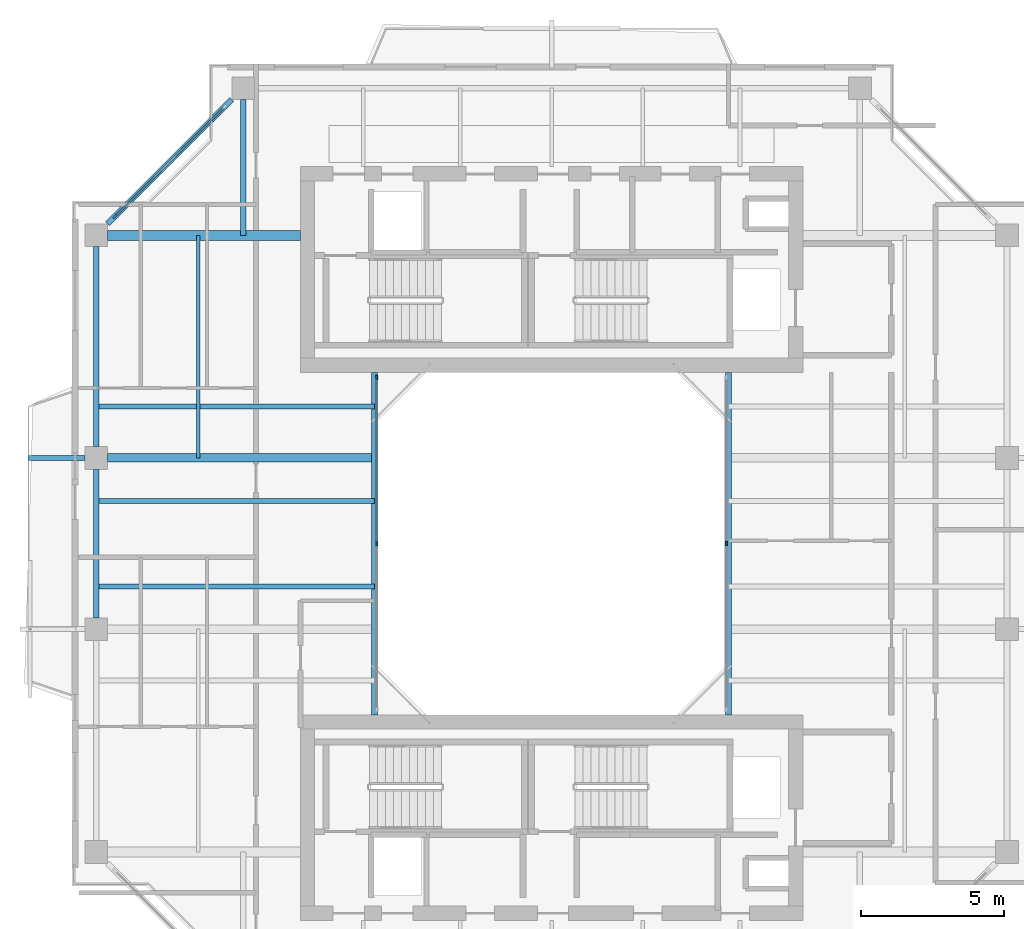
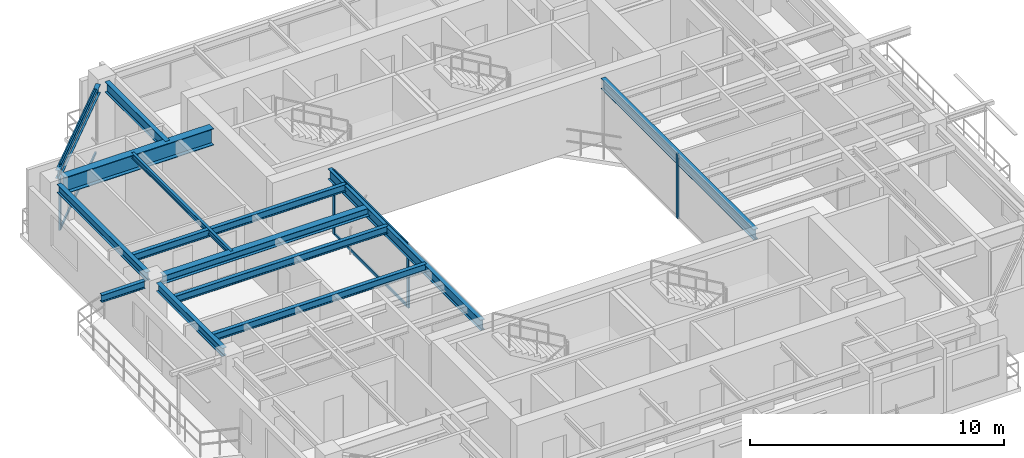
# One storey, part 5 of 16: 13 beams, 8 members, 3 elements without a shape of their own.
"""IFC4 building model written with IfcOpenShell, lengths in metres."""

from ifc_helpers import new_model, si_unit, direction, frame, origin, origin_2d, place, context, subcontext, project, spatial, rectangle, i_section, extrude, source, transform, mapped, material, layer, layer_set, material_profile, profile_set, type_object, element, aggregate, save


model = new_model("IFC4")

# Units and contexts
model_context = context("Model", 3, precision=1e-05, world=origin(), true_north=direction((0.0, 1.0)))
body_context = subcontext(model_context, "Body", "Model", "MODEL_VIEW")
ifc_project = project(units=[si_unit("LENGTHUNIT", "METRE"), si_unit("AREAUNIT", "SQUARE_METRE"), si_unit("VOLUMEUNIT", "CUBIC_METRE"), si_unit("PLANEANGLEUNIT", "RADIAN"), si_unit("MASSUNIT", "GRAM", prefix="KILO"), si_unit("THERMODYNAMICTEMPERATUREUNIT", "KELVIN"), si_unit("POWERUNIT", "WATT")], contexts=[model_context])

# Site, building, storey
site_placement = place(None, origin())
site = spatial("IfcSite", under=ifc_project, at=site_placement, CompositionType="ELEMENT")
building_placement = place(site_placement, origin())
building = spatial("IfcBuilding", under=site, at=building_placement, Name="Qiaomeng Ring Towers", CompositionType="ELEMENT")
storey_placement = place(building_placement, frame((0.0, 0.0, 197.0)))
storey = spatial("IfcBuildingStorey", under=building, at=storey_placement, Name="L57", CompositionType="ELEMENT", Elevation=197.0)

# Beams
ifc_material_1 = material(Name="Steel Q355B", Category="steel")
ifc_material_profile_1 = material_profile(ifc_material_1, i_section(OverallWidth=0.199951171875, OverallDepth=0.5, WebThickness=0.010009765625, FlangeThickness=0.01611328125, FilletRadius=0.02001953125, at=origin_2d()), Name="HN 500x200x10x16")
ifc_profile_set_1 = profile_set([ifc_material_profile_1], Name="Steel Q355B")
beam_type_1 = type_object("IfcBeamType", Name="STR-BM-HN500", PredefinedType="BEAM", material=ifc_profile_set_1)
shared_shape_1 = source(origin(), body_context, "Body", "SweptSolid", [
    extrude(i_section(OverallWidth=0.199951171875, OverallDepth=0.5, WebThickness=0.010009765625, FlangeThickness=0.01611328125, FilletRadius=0.02001953125, at=origin_2d()), origin(), (0.0, 0.0, 1.0), 12.0),
])
for number, where, z_axis, x_axis, name in (
    (1, (12.800048828125, 17.0, 2.820068359375), (0.0, 1.0, 0.0), (-1.0, 0.0, 0.0), "L57 beam STR-BM-L57-WELL-W"),
    (2, (25.199951171875, 17.0, 2.820068359375), (0.0, 1.0, 0.0), (-1.0, 0.0, 0.0), "L57 beam STR-BM-L57-WELL-E"),
):
    element("IfcBeam", number, at=place(storey_placement, frame(where, z_axis=z_axis, x_axis=x_axis)), inside=storey, type_object=beam_type_1, Name=name, PredefinedType="BEAM", context=body_context, shape_type="MappedRepresentation", body=[
        mapped(shared_shape_1, transform((0.0, 0.0, 0.0), x_axis=(1.0, 0.0, 0.0), y_axis=(0.0, 1.0, 0.0), z_axis=(0.0, 0.0, 1.0), scale=1.0)),
    ])
ifc_material_profile_2 = material_profile(ifc_material_1, i_section(OverallWidth=0.198974609375, OverallDepth=0.39599609375, WebThickness=0.007080078125, FlangeThickness=0.010986328125, FilletRadius=0.01611328125, at=origin_2d()), Name="HN 396x199x7x11")
ifc_profile_set_2 = profile_set([ifc_material_profile_2], Name="Steel Q355B")
beam_type_2 = type_object("IfcBeamType", Name="STR-BM-HN396", PredefinedType="SPANDREL", material=ifc_profile_set_2)
shared_shape_2 = source(origin(), body_context, "Body", "SweptSolid", [
    extrude(i_section(OverallWidth=0.198974609375, OverallDepth=0.39599609375, WebThickness=0.007080078125, FlangeThickness=0.010986328125, FilletRadius=0.01611328125, at=origin_2d()), origin(), (0.0, 0.0, 1.0), 6.154052734375),
])
beam_1_placement = place(storey_placement, frame((7.80078125, 38.55078125, 2.8720703125), z_axis=(-0.707106781187, -0.707106781187, 0.0), x_axis=(0.707106781187, -0.707106781187, 0.0)))
element("IfcBeam", 3, at=beam_1_placement, inside=storey, type_object=beam_type_2, Name="L57 beam STR-SP-L57-T1-N1-W4", PredefinedType="SPANDREL", context=body_context, shape_type="MappedRepresentation", body=[
    mapped(shared_shape_2, transform((0.0, 0.0, 0.0), x_axis=(1.0, 0.0, 0.0), y_axis=(0.0, 1.0, 0.0), z_axis=(0.0, 0.0, 1.0), scale=1.0)),
])
shared_shape_3 = source(origin(), body_context, "Body", "SweptSolid", [
    extrude(i_section(OverallWidth=0.198974609375, OverallDepth=0.39599609375, WebThickness=0.007080078125, FlangeThickness=0.010986328125, FilletRadius=0.01611328125, at=origin_2d()), origin(), (0.0, 0.0, 1.0), 7.001953125),
])
beam_2_placement = place(storey_placement, frame((3.050048828125, 33.40087890625, 2.8720703125), z_axis=(0.0, -1.0, 0.0), x_axis=(1.0, 0.0, 0.0)))
element("IfcBeam", 4, at=beam_2_placement, inside=storey, type_object=beam_type_2, Name="L57 beam STR-SP-L57-T1-W4-W3", PredefinedType="SPANDREL", context=body_context, shape_type="MappedRepresentation", body=[
    mapped(shared_shape_3, transform((0.0, 0.0, 0.0), x_axis=(1.0, 0.0, 0.0), y_axis=(0.0, 1.0, 0.0), z_axis=(0.0, 0.0, 1.0), scale=1.0)),
])
shared_shape_4 = source(origin(), body_context, "Body", "SweptSolid", [
    extrude(i_section(OverallWidth=0.198974609375, OverallDepth=0.39599609375, WebThickness=0.007080078125, FlangeThickness=0.010986328125, FilletRadius=0.01611328125, at=origin_2d()), origin(), (0.0, 0.0, 1.0), 5.2021484375),
])
beam_3_placement = place(storey_placement, frame((3.050048828125, 25.60107421875, 2.8720703125), z_axis=(0.0, -1.0, 0.0), x_axis=(1.0, 0.0, 0.0)))
element("IfcBeam", 5, at=beam_3_placement, inside=storey, type_object=beam_type_2, Name="L57 beam STR-SP-L57-T1-W3-W2", PredefinedType="SPANDREL", context=body_context, shape_type="MappedRepresentation", body=[
    mapped(shared_shape_4, transform((0.0, 0.0, 0.0), x_axis=(1.0, 0.0, 0.0), y_axis=(0.0, 1.0, 0.0), z_axis=(0.0, 0.0, 1.0), scale=1.0)),
])
ifc_material_2 = material(Name="Steel Q390GJC", Category="steel")
ifc_material_profile_3 = material_profile(ifc_material_2, i_section(OverallWidth=0.35009765625, OverallDepth=0.800048828125, WebThickness=0.01611328125, FlangeThickness=0.028076171875, at=origin_2d()), Name="WH 800x350x16x28")
ifc_profile_set_3 = profile_set([ifc_material_profile_3], Name="Steel Q390GJC")
beam_type_3 = type_object("IfcBeamType", Name="STR-BM-WH800", PredefinedType="BEAM", material=ifc_profile_set_3)
shared_shape_5 = source(origin(), body_context, "Body", "SweptSolid", [
    extrude(i_section(OverallWidth=0.35009765625, OverallDepth=0.800048828125, WebThickness=0.01611328125, FlangeThickness=0.028076171875, at=origin_2d()), origin(), (0.0, 0.0, 1.0), 6.7509765625),
])
beam_4_placement = place(storey_placement, frame((3.448974609375, 33.800048828125, 2.669921875), z_axis=(1.0, 0.0, 0.0), x_axis=(0.0, 1.0, 0.0)))
element("IfcBeam", 6, at=beam_4_placement, inside=storey, type_object=beam_type_3, Name="L57 beam STR-BM-L57-T1-RAD-W4", PredefinedType="BEAM", context=body_context, shape_type="MappedRepresentation", body=[
    mapped(shared_shape_5, transform((0.0, 0.0, 0.0), x_axis=(1.0, 0.0, 0.0), y_axis=(0.0, 1.0, 0.0), z_axis=(0.0, 0.0, 1.0), scale=1.0)),
])
shared_shape_6 = source(origin(), body_context, "Body", "SweptSolid", [
    extrude(i_section(OverallWidth=0.199951171875, OverallDepth=0.5, WebThickness=0.010009765625, FlangeThickness=0.01611328125, FilletRadius=0.02001953125, at=origin_2d()), origin(), (0.0, 0.0, 1.0), 4.7509765625),
])
beam_5_placement = place(storey_placement, frame((8.199951171875, 38.551025390625, 2.820068359375), z_axis=(0.0, -1.0, 0.0), x_axis=(1.0, 0.0, 0.0)))
element("IfcBeam", 7, at=beam_5_placement, inside=storey, type_object=beam_type_1, Name="L57 beam STR-BM-L57-T1-RAD-N1", PredefinedType="BEAM", context=body_context, shape_type="MappedRepresentation", body=[
    mapped(shared_shape_6, transform((0.0, 0.0, 0.0), x_axis=(1.0, 0.0, 0.0), y_axis=(0.0, 1.0, 0.0), z_axis=(0.0, 0.0, 1.0), scale=1.0)),
])
ifc_material_profile_4 = material_profile(ifc_material_1, i_section(OverallWidth=0.300048828125, OverallDepth=0.389892578125, WebThickness=0.010009765625, FlangeThickness=0.01611328125, FilletRadius=0.02197265625, at=origin_2d()), Name="HM 390x300x10x16")
ifc_profile_set_4 = profile_set([ifc_material_profile_4], Name="Steel Q355B")
beam_type_4 = type_object("IfcBeamType", Name="STR-BM-HM390", PredefinedType="BEAM", material=ifc_profile_set_4)
shared_shape_7 = source(origin(), body_context, "Body", "SweptSolid", [
    extrude(i_section(OverallWidth=0.300048828125, OverallDepth=0.389892578125, WebThickness=0.010009765625, FlangeThickness=0.01611328125, FilletRadius=0.02197265625, at=origin_2d()), origin(), (0.0, 0.0, 1.0), 9.35107421875),
])
beam_6_placement = place(storey_placement, frame((3.448974609375, 26.0, 2.875), z_axis=(1.0, 0.0, 0.0), x_axis=(0.0, 1.0, 0.0)))
element("IfcBeam", 8, at=beam_6_placement, inside=storey, type_object=beam_type_4, Name="L57 beam STR-BM-L57-T1-RAD-W3", PredefinedType="BEAM", context=body_context, shape_type="MappedRepresentation", body=[
    mapped(shared_shape_7, transform((0.0, 0.0, 0.0), x_axis=(1.0, 0.0, 0.0), y_axis=(0.0, 1.0, 0.0), z_axis=(0.0, 0.0, 1.0), scale=1.0)),
])
ifc_material_profile_5 = material_profile(ifc_material_1, i_section(OverallWidth=0.175048828125, OverallDepth=0.35009765625, WebThickness=0.007080078125, FlangeThickness=0.010986328125, FilletRadius=0.013916015625, at=origin_2d()), Name="HN 350x175x7x11")
ifc_profile_set_5 = profile_set([ifc_material_profile_5], Name="Steel Q355B")
beam_type_5 = type_object("IfcBeamType", Name="STR-BM-HN350", PredefinedType="JOIST", material=ifc_profile_set_5)
shared_shape_8 = source(origin(), body_context, "Body", "SweptSolid", [
    extrude(i_section(OverallWidth=0.175048828125, OverallDepth=0.35009765625, WebThickness=0.007080078125, FlangeThickness=0.010986328125, FilletRadius=0.013916015625, at=origin_2d()), origin(), (0.0, 0.0, 1.0), 1.970947265625),
])
beam_7_placement = place(storey_placement, frame((0.679931640625, 26.0, 2.89501953125), z_axis=(1.0, 0.0, 0.0), x_axis=(0.0, 1.0, 0.0)))
element("IfcBeam", 9, at=beam_7_placement, inside=storey, type_object=beam_type_5, Name="L57 beam STR-BALBM-L57-W3", PredefinedType="JOIST", context=body_context, shape_type="MappedRepresentation", body=[
    mapped(shared_shape_8, transform((0.0, 0.0, 0.0), x_axis=(1.0, 0.0, 0.0), y_axis=(0.0, 1.0, 0.0), z_axis=(0.0, 0.0, 1.0), scale=1.0)),
])
shared_shape_9 = source(origin(), body_context, "Body", "SweptSolid", [
    extrude(i_section(OverallWidth=0.175048828125, OverallDepth=0.35009765625, WebThickness=0.007080078125, FlangeThickness=0.010986328125, FilletRadius=0.013916015625, at=origin_2d()), origin(), (0.0, 0.0, 1.0), 9.75),
])
for number, where, z_axis, x_axis, name in (
    (10, (3.050048828125, 21.5, 2.89501953125), (1.0, 0.0, 0.0), (0.0, 1.0, 0.0), "L57 beam STR-JST-L57-T1W-2"),
    (11, (3.050048828125, 24.5, 2.89501953125), (1.0, 0.0, 0.0), (0.0, 1.0, 0.0), "L57 beam STR-JST-L57-T1W-3"),
    (12, (3.050048828125, 27.800048828125, 2.89501953125), (1.0, 0.0, 0.0), (0.0, 1.0, 0.0), "L57 beam STR-JST-L57-T1W-4"),
):
    element("IfcBeam", number, at=place(storey_placement, frame(where, z_axis=z_axis, x_axis=x_axis)), inside=storey, type_object=beam_type_5, Name=name, PredefinedType="JOIST", context=body_context, shape_type="MappedRepresentation", body=[
        mapped(shared_shape_9, transform((0.0, 0.0, 0.0), x_axis=(1.0, 0.0, 0.0), y_axis=(0.0, 1.0, 0.0), z_axis=(0.0, 0.0, 1.0), scale=1.0)),
    ])
ifc_material_profile_6 = material_profile(ifc_material_1, i_section(OverallWidth=0.125, OverallDepth=0.25, WebThickness=0.006103515625, FlangeThickness=0.009033203125, FilletRadius=0.011962890625, at=origin_2d()), Name="HN 250x125x6x9")
ifc_profile_set_6 = profile_set([ifc_material_profile_6], Name="Steel Q355B")
beam_type_6 = type_object("IfcBeamType", Name="STR-BM-HN250", PredefinedType="JOIST", material=ifc_profile_set_6)
shared_shape_10 = source(origin(), body_context, "Body", "SweptSolid", [
    extrude(i_section(OverallWidth=0.125, OverallDepth=0.25, WebThickness=0.006103515625, FlangeThickness=0.009033203125, FilletRadius=0.011962890625, at=origin_2d()), origin(), (0.0, 0.0, 1.0), 7.800048828125),
])
beam_8_placement = place(storey_placement, frame((6.625, 26.0, 2.945068359375), z_axis=(0.0, 1.0, 0.0), x_axis=(-1.0, 0.0, 0.0)))
element("IfcBeam", 13, at=beam_8_placement, inside=storey, type_object=beam_type_6, Name="L57 beam STR-JST-L57-T1C-WN", PredefinedType="JOIST", context=body_context, shape_type="MappedRepresentation", body=[
    mapped(shared_shape_10, transform((0.0, 0.0, 0.0), x_axis=(1.0, 0.0, 0.0), y_axis=(0.0, 1.0, 0.0), z_axis=(0.0, 0.0, 1.0), scale=1.0)),
])

# Curtain wall, members
ifc_material_3 = material(Name="Fluorocarbon dark-grey aluminium", Category="aluminium")
ifc_layer_1 = layer(ifc_material_3, 0.139892578125, Name="Fluorocarbon dark-grey aluminium")
ifc_layer_set_1 = layer_set([ifc_layer_1], Name="Fluorocarbon dark-grey aluminium")
curtain_wall_type_1 = type_object("IfcCurtainWallType", Name="ARC-CW-4", PredefinedType="NOTDEFINED", material=ifc_layer_set_1)
curtain_wall_1_placement = place(storey_placement, origin())
curtain_wall_1 = element("IfcCurtainWall", 14, at=curtain_wall_1_placement, inside=storey, type_object=curtain_wall_type_1, Name="L57 Curtain Wall CW4", PredefinedType="NOTDEFINED")
ifc_material_profile_7 = material_profile(ifc_material_3, rectangle(XDim=0.06494140625, YDim=0.159912109375, at=origin_2d()), Name="ALU MULL 65x160")
ifc_profile_set_7 = profile_set([ifc_material_profile_7], Name="Fluorocarbon dark-grey aluminium")
member_type_1 = type_object("IfcMemberType", Name="ARC-CWM-140", PredefinedType="MULLION", material=ifc_profile_set_7)
shared_shape_11 = source(origin(), body_context, "Body", "SweptSolid", [
    extrude(rectangle(XDim=0.06494140625, YDim=0.159912109375, at=origin_2d()), origin(), (0.0, 0.0, 1.0), 3.070068359375),
])
member_1_placement = place(storey_placement, frame((12.8798828125, 23.0, 0.0), z_axis=(0.0, 0.0, 1.0), x_axis=(-1.0, 0.0, 0.0)))
member_1 = element("IfcMember", 15, at=member_1_placement, type_object=member_type_1, Name="CW4 mullion 2", PredefinedType="MULLION", context=body_context, shape_type="MappedRepresentation", body=[
    mapped(shared_shape_11, transform((0.0, 0.0, 0.0), x_axis=(1.0, 0.0, 0.0), y_axis=(0.0, 1.0, 0.0), z_axis=(0.0, 0.0, 1.0), scale=1.0)),
])
member_2_placement = place(storey_placement, frame((12.8798828125, 28.8173828125, 0.0), z_axis=(0.0, 0.0, 1.0), x_axis=(-1.0, 0.0, 0.0)))
member_2 = element("IfcMember", 16, at=member_2_placement, type_object=member_type_1, Name="CW4 mullion 3", PredefinedType="MULLION", context=body_context, shape_type="MappedRepresentation", body=[
    mapped(shared_shape_11, transform((0.0, 0.0, 0.0), x_axis=(1.0, 0.0, 0.0), y_axis=(0.0, 1.0, 0.0), z_axis=(0.0, 0.0, 1.0), scale=1.0)),
])

# Curtain wall, member
curtain_wall_2_placement = place(storey_placement, origin())
curtain_wall_2 = element("IfcCurtainWall", 17, at=curtain_wall_2_placement, inside=storey, type_object=curtain_wall_type_1, Name="L57 Curtain Wall CW4", PredefinedType="NOTDEFINED")
member_3_placement = place(storey_placement, frame((25.1201171875, 23.0, 0.0), z_axis=(0.0, 0.0, 1.0), x_axis=(-1.0, 0.0, 0.0)))
member_3 = element("IfcMember", 18, at=member_3_placement, type_object=member_type_1, Name="CW4 mullion 2", PredefinedType="MULLION", context=body_context, shape_type="MappedRepresentation", body=[
    mapped(shared_shape_11, transform((0.0, 0.0, 0.0), x_axis=(1.0, 0.0, 0.0), y_axis=(0.0, 1.0, 0.0), z_axis=(0.0, 0.0, 1.0), scale=1.0)),
])
aggregate(curtain_wall_2, [member_3])

# Member
ifc_material_profile_8 = material_profile(ifc_material_3, rectangle(XDim=0.06494140625, YDim=0.1298828125, at=origin_2d()), Name="ALU TRAN 65x130")
ifc_profile_set_8 = profile_set([ifc_material_profile_8], Name="Fluorocarbon dark-grey aluminium")
member_type_2 = type_object("IfcMemberType", Name="ARC-CWT-120", PredefinedType="USERDEFINED", material=ifc_profile_set_8)
shared_shape_12 = source(origin(), body_context, "Body", "SweptSolid", [
    extrude(rectangle(XDim=0.06494140625, YDim=0.1298828125, at=origin_2d()), origin(), (0.0, 0.0, 1.0), 5.75244140625),
])
member_4_placement = place(storey_placement, frame((12.8798828125, 23.032470703125, 0.032470703125), z_axis=(0.0, 1.0, 0.0), x_axis=(-1.0, 0.0, 0.0)))
member_4 = element("IfcMember", 19, at=member_4_placement, type_object=member_type_2, Name="CW4 transom 2.1", ObjectType="TRANSOM", PredefinedType="USERDEFINED", context=body_context, shape_type="MappedRepresentation", body=[
    mapped(shared_shape_12, transform((0.0, 0.0, 0.0), x_axis=(1.0, 0.0, 0.0), y_axis=(0.0, 1.0, 0.0), z_axis=(0.0, 0.0, 1.0), scale=1.0)),
])

member_5_placement = place(storey_placement, frame((12.8798828125, 23.032470703125, 3.03759765625), z_axis=(0.0, 1.0, 0.0), x_axis=(-1.0, 0.0, 0.0)))
member_5 = element("IfcMember", 20, at=member_5_placement, type_object=member_type_2, Name="CW4 transom 2.2", ObjectType="TRANSOM", PredefinedType="USERDEFINED", context=body_context, shape_type="MappedRepresentation", body=[
    mapped(shared_shape_12, transform((0.0, 0.0, 0.0), x_axis=(1.0, 0.0, 0.0), y_axis=(0.0, 1.0, 0.0), z_axis=(0.0, 0.0, 1.0), scale=1.0)),
])

aggregate(curtain_wall_1, [member_1, member_2, member_4, member_5])

# Curtain wall, members
ifc_layer_2 = layer(ifc_material_3, 0.14990234375, Name="Fluorocarbon dark-grey aluminium")
ifc_layer_set_2 = layer_set([ifc_layer_2], Name="Fluorocarbon dark-grey aluminium")
curtain_wall_type_2 = type_object("IfcCurtainWallType", Name="ARC-CW-3", PredefinedType="NOTDEFINED", material=ifc_layer_set_2)
curtain_wall_3_placement = place(storey_placement, origin())
curtain_wall_3 = element("IfcCurtainWall", 21, at=curtain_wall_3_placement, inside=storey, type_object=curtain_wall_type_2, Name="L57 Curtain Wall CW3", PredefinedType="NOTDEFINED")
ifc_material_profile_9 = material_profile(ifc_material_3, rectangle(XDim=0.070068359375, YDim=0.179931640625, at=origin_2d()), Name="ALU MULL 70x180")
ifc_profile_set_9 = profile_set([ifc_material_profile_9], Name="Fluorocarbon dark-grey aluminium")
member_type_3 = type_object("IfcMemberType", Name="ARC-CWM-160", PredefinedType="MULLION", material=ifc_profile_set_9)
shared_shape_13 = source(origin(), body_context, "Body", "SweptSolid", [
    extrude(rectangle(XDim=0.070068359375, YDim=0.179931640625, at=origin_2d()), origin(), (0.0, 0.0, 1.0), 3.070068359375),
])
member_6_placement = place(storey_placement, frame((3.71484375, 34.46484375, 0.0), z_axis=(0.0, 0.0, 1.0), x_axis=(0.707106781187, -0.707106781187, 0.0)))
member_6 = element("IfcMember", 22, at=member_6_placement, type_object=member_type_3, Name="CW3 mullion 2", PredefinedType="MULLION", context=body_context, shape_type="MappedRepresentation", body=[
    mapped(shared_shape_13, transform((0.0, 0.0, 0.0), x_axis=(1.0, 0.0, 0.0), y_axis=(0.0, 1.0, 0.0), z_axis=(0.0, 0.0, 1.0), scale=1.0)),
])
shared_shape_14 = source(origin(), body_context, "Body", "SweptSolid", [
    extrude(rectangle(XDim=0.06494140625, YDim=0.1298828125, at=origin_2d()), origin(), (0.0, 0.0, 1.0), 5.3330078125),
])
member_7_placement = place(storey_placement, frame((7.510498046875, 38.260498046875, 0.032470703125), z_axis=(-0.707106781187, -0.707106781187, 0.0), x_axis=(0.707106781187, -0.707106781187, 0.0)))
member_7 = element("IfcMember", 23, at=member_7_placement, type_object=member_type_2, Name="CW3 transom 1.1", ObjectType="TRANSOM", PredefinedType="USERDEFINED", context=body_context, shape_type="MappedRepresentation", body=[
    mapped(shared_shape_14, transform((0.0, 0.0, 0.0), x_axis=(1.0, 0.0, 0.0), y_axis=(0.0, 1.0, 0.0), z_axis=(0.0, 0.0, 1.0), scale=1.0)),
])
member_8_placement = place(storey_placement, frame((7.510498046875, 38.260498046875, 3.03759765625), z_axis=(-0.707106781187, -0.707106781187, 0.0), x_axis=(0.707106781187, -0.707106781187, 0.0)))
member_8 = element("IfcMember", 24, at=member_8_placement, type_object=member_type_2, Name="CW3 transom 1.2", ObjectType="TRANSOM", PredefinedType="USERDEFINED", context=body_context, shape_type="MappedRepresentation", body=[
    mapped(shared_shape_14, transform((0.0, 0.0, 0.0), x_axis=(1.0, 0.0, 0.0), y_axis=(0.0, 1.0, 0.0), z_axis=(0.0, 0.0, 1.0), scale=1.0)),
])
aggregate(curtain_wall_3, [member_6, member_7, member_8])

save(model, "model.ifc")
